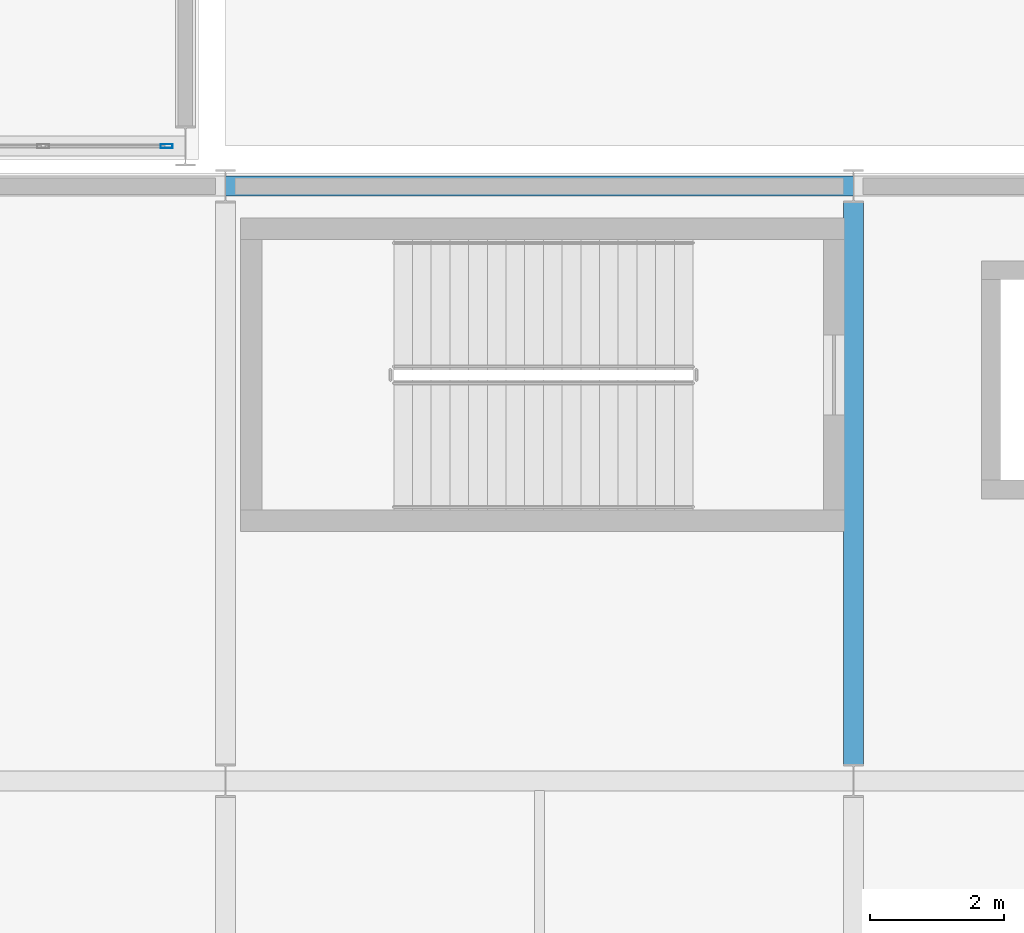
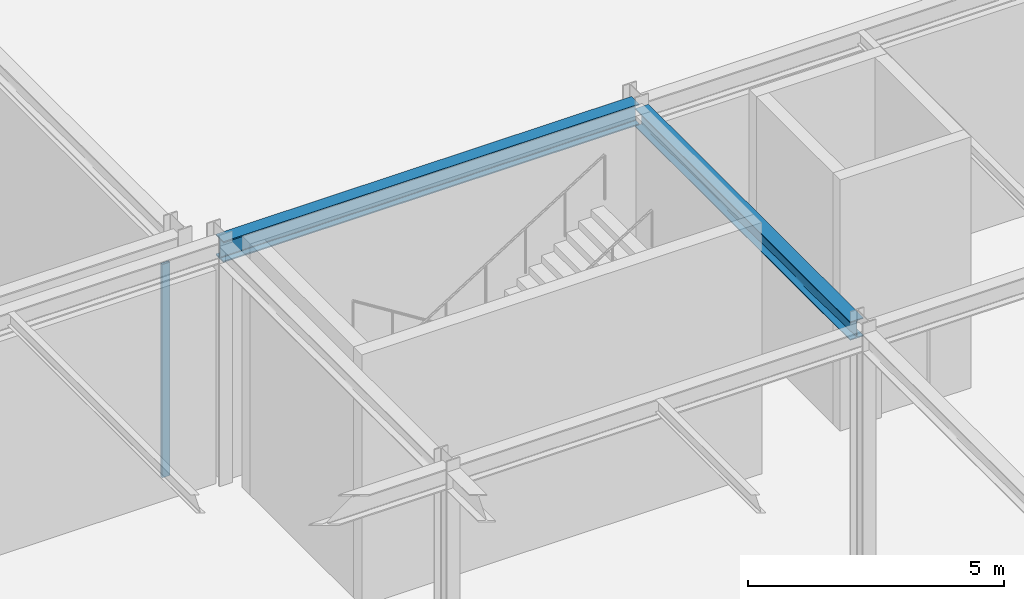
# One storey, part 78 of 146: 2 beams, 1 member, 1 element without a shape of its own.
"""IFC4 building model written with IfcOpenShell, lengths in metres."""

from ifc_helpers import new_model, si_unit, direction, frame, origin, origin_2d, place, context, subcontext, project, spatial, hollow_rectangle, i_section, extrude, material, material_profile, profile_set, type_object, element, aggregate, save


model = new_model("IFC4")

# Units and contexts
model_context = context("Model", 3, precision=1e-05, world=origin(), true_north=direction((0.0, 1.0)))
body_context = subcontext(model_context, "Body", "Model", "MODEL_VIEW")
ifc_project = project(units=[si_unit("LENGTHUNIT", "METRE"), si_unit("AREAUNIT", "SQUARE_METRE"), si_unit("VOLUMEUNIT", "CUBIC_METRE"), si_unit("PLANEANGLEUNIT", "RADIAN"), si_unit("MASSUNIT", "GRAM", prefix="KILO")], contexts=[model_context])

# Site, building, storey
site_placement = place(None, origin())
site = spatial("IfcSite", under=ifc_project, at=site_placement, CompositionType="ELEMENT")
building_placement = place(site_placement, origin())
building = spatial("IfcBuilding", under=site, at=building_placement, Name="Kaldris Quays Convention Centre", CompositionType="ELEMENT")
storey_placement = place(building_placement, origin())
storey = spatial("IfcBuildingStorey", under=building, at=storey_placement, Name="L00", CompositionType="ELEMENT", Elevation=0.0)

# Curtain wall, member
ifc_material_1 = material(Name="Anodized aluminium AW-6060 and triple glazing", Category="aluminium")
curtain_wall_type = type_object("IfcCurtainWallType", Name="UNITISED CURTAIN WALL CW05", PredefinedType="NOTDEFINED", material=ifc_material_1)
curtain_wall_placement = place(storey_placement, origin())
curtain_wall = element("IfcCurtainWall", 1, at=curtain_wall_placement, inside=storey, type_object=curtain_wall_type, Name="L00 Unitised Curtain Wall CW05 137", PredefinedType="NOTDEFINED")
ifc_material_2 = material(Name="Anodized aluminium AW-6060", Category="aluminium")
ifc_material_profile_1 = material_profile(ifc_material_2, hollow_rectangle(XDim=0.06005859375, YDim=0.179931640625, WallThickness=0.0048828125, at=origin_2d()), Name="RHS 180x60x5")
ifc_profile_set_1 = profile_set([ifc_material_profile_1], Name="Anodized aluminium AW-6060")
member_type = type_object("IfcMemberType", Name="CURTAIN MULLION CWM2", PredefinedType="MULLION", material=ifc_profile_set_1)
member_placement = place(storey_placement, frame((163.719970703125, 38.0, 0.0), z_axis=(0.0, 0.0, 1.0), x_axis=(0.0, 1.0, 0.0)))
member = element("IfcMember", 2, at=member_placement, type_object=member_type, Name="CW05 mullion 10", PredefinedType="MULLION", context=body_context, shape_type="SweptSolid", body=[
    extrude(hollow_rectangle(XDim=0.06005859375, YDim=0.179931640625, WallThickness=0.0048828125, at=origin_2d()), origin(), (0.0, 0.0, 1.0), 5.097900390625),
])
aggregate(curtain_wall, [member])

# Beams
ifc_material_3 = material(Name="Steel S355J2", Category="steel")
ifc_material_profile_2 = material_profile(ifc_material_3, i_section(OverallWidth=0.300048828125, OverallDepth=0.5, WebThickness=0.014404296875, FlangeThickness=0.028076171875, FilletRadius=0.027099609375, at=origin_2d()), Name="HEB 500")
ifc_profile_set_2 = profile_set([ifc_material_profile_2], Name="Steel S355J2")
beam_type_1 = type_object("IfcBeamType", Name="STRUCTURAL BEAM BM06", PredefinedType="BEAM", material=ifc_profile_set_2)
beam_1_placement = place(storey_placement, frame((164.601318359375, 37.39990234375, 5.492919921875), z_axis=(1.0, 0.0, 0.0), x_axis=(0.0, 1.0, 0.0)))
element("IfcBeam", 3, at=beam_1_placement, inside=storey, type_object=beam_type_1, Name="L00 Girder BM06 17", PredefinedType="BEAM", context=body_context, shape_type="SweptSolid", body=[
    extrude(i_section(OverallWidth=0.300048828125, OverallDepth=0.5, WebThickness=0.014404296875, FlangeThickness=0.028076171875, FilletRadius=0.027099609375, at=origin_2d()), origin(), (0.0, 0.0, 1.0), 9.3974609375),
])
ifc_material_profile_3 = material_profile(ifc_material_3, i_section(OverallWidth=0.300048828125, OverallDepth=0.43994140625, WebThickness=0.011474609375, FlangeThickness=0.02099609375, FilletRadius=0.027099609375, at=origin_2d()), Name="HEA 450")
ifc_profile_set_3 = profile_set([ifc_material_profile_3], Name="Steel S355J2")
beam_type_2 = type_object("IfcBeamType", Name="STRUCTURAL BEAM BM14", PredefinedType="BEAM", material=ifc_profile_set_3)
beam_2_placement = place(storey_placement, frame((174.0, 28.743896484375, 5.52294921875), z_axis=(0.0, 1.0, 0.0), x_axis=(-1.0, 0.0, 0.0)))
element("IfcBeam", 4, at=beam_2_placement, inside=storey, type_object=beam_type_2, Name="L00 Girder BM14 29", PredefinedType="BEAM", context=body_context, shape_type="SweptSolid", body=[
    extrude(i_section(OverallWidth=0.300048828125, OverallDepth=0.43994140625, WebThickness=0.011474609375, FlangeThickness=0.02099609375, FilletRadius=0.027099609375, at=origin_2d()), origin(), (0.0, 0.0, 1.0), 8.412109375),
])

save(model, "model.ifc")
